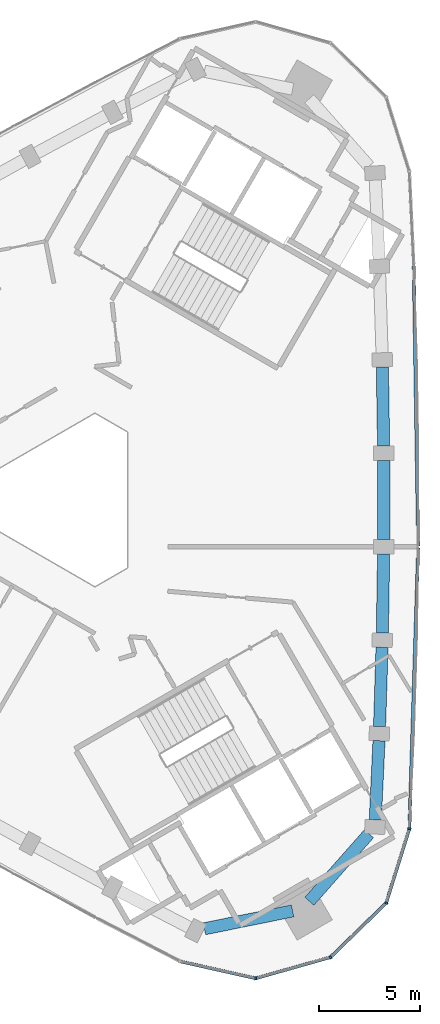
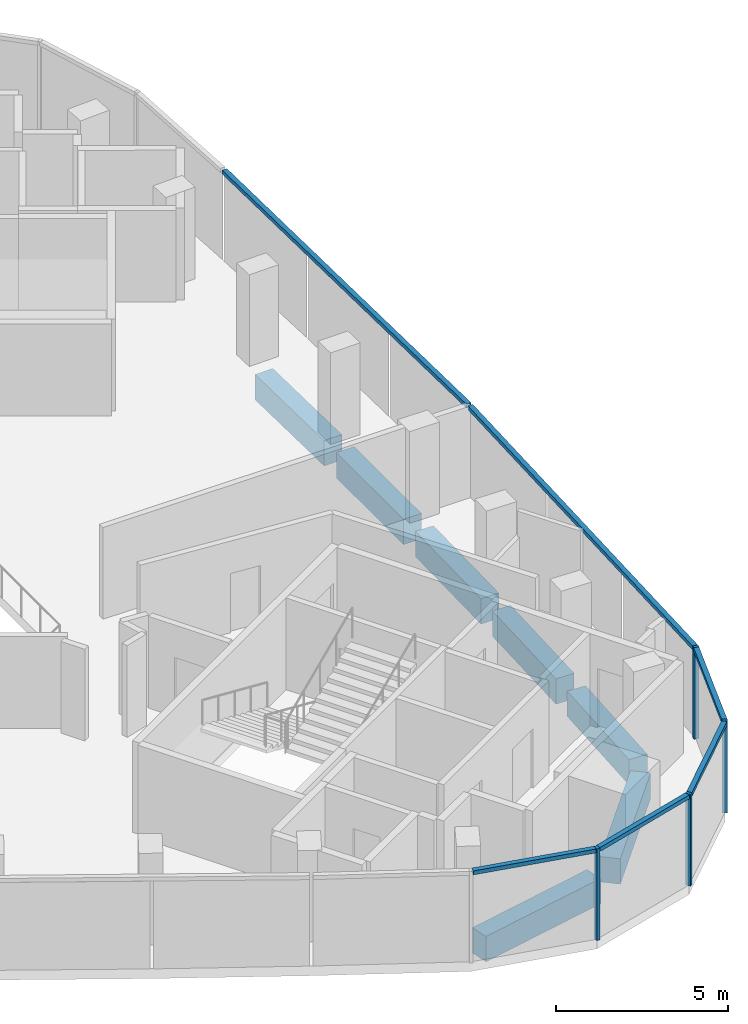
# One storey, part 3 of 10: 10 members, 7 beams, 2 elements without a shape of their own.
"""IFC4 building model written with IfcOpenShell, lengths in metres."""

from ifc_helpers import new_model, si_unit, direction, frame, origin, origin_2d, place, context, subcontext, project, spatial, rectangle, extrude, material, material_profile, profile_set, type_object, element, aggregate, save


model = new_model("IFC4")

# Units and contexts
model_context = context("Model", 3, precision=1e-05, world=origin(), true_north=direction((0.0, 1.0)))
body_context = subcontext(model_context, "Body", "Model", "MODEL_VIEW")
ifc_project = project(units=[si_unit("LENGTHUNIT", "METRE"), si_unit("AREAUNIT", "SQUARE_METRE"), si_unit("VOLUMEUNIT", "CUBIC_METRE"), si_unit("PLANEANGLEUNIT", "RADIAN"), si_unit("MASSUNIT", "GRAM", prefix="KILO")], contexts=[model_context])

# Site, building, storey
site_placement = place(None, origin())
site = spatial("IfcSite", under=ifc_project, at=site_placement, CompositionType="ELEMENT")
building_placement = place(site_placement, origin())
building = spatial("IfcBuilding", under=site, at=building_placement, Name="Tamra Quay Hotel Tower", CompositionType="ELEMENT")
storey_placement = place(building_placement, frame((0.0, 0.0, 294.60009765625)))
storey = spatial("IfcBuildingStorey", under=building, at=storey_placement, Name="L74", CompositionType="ELEMENT", Elevation=294.60009765625)

# Curtain wall, member
ifc_material_1 = material(Name="Aluminium 6063 anodised dark grey", Category="aluminium")
curtain_wall_type_1 = type_object("IfcCurtainWallType", Name="CW1 CURTAIN WALL", PredefinedType="NOTDEFINED", material=ifc_material_1)
curtain_wall_1_placement = place(storey_placement, origin())
curtain_wall_1 = element("IfcCurtainWall", 1, at=curtain_wall_1_placement, inside=storey, type_object=curtain_wall_type_1, Name="CW1 east face L74", PredefinedType="NOTDEFINED")
ifc_material_profile_1 = material_profile(ifc_material_1, rectangle(XDim=0.159912109375, YDim=0.10009765625, at=origin_2d()), Name="MULLION 100X160")
ifc_profile_set_1 = profile_set([ifc_material_profile_1], Name="Aluminium 6063 anodised dark grey")
member_type_1 = type_object("IfcMemberType", Name="MULLION CW1 Z6", PredefinedType="MULLION", material=ifc_profile_set_1)
member_1_placement = place(storey_placement, frame((16.89990234375, -16.210205078125, 0.0), z_axis=(0.0, 0.0, 1.0), x_axis=(0.984739919862, -0.174032440167, 0.0)))
member_1 = element("IfcMember", 2, at=member_1_placement, type_object=member_type_1, Name="CW1 mullion L74.E.1", PredefinedType="MULLION", context=body_context, shape_type="SweptSolid", body=[
    extrude(rectangle(XDim=0.159912109375, YDim=0.10009765625, at=origin_2d()), origin(), (0.0, 0.0, 1.0), 3.25),
])

# Curtain wall, members
curtain_wall_type_2 = type_object("IfcCurtainWallType", Name="CW3 CURTAIN WALL", PredefinedType="NOTDEFINED", material=ifc_material_1)
curtain_wall_2_placement = place(storey_placement, origin())
curtain_wall_2 = element("IfcCurtainWall", 3, at=curtain_wall_2_placement, inside=storey, type_object=curtain_wall_type_2, Name="CW3 south-west face L74", PredefinedType="NOTDEFINED")
ifc_material_profile_2 = material_profile(ifc_material_1, rectangle(XDim=0.159912109375, YDim=0.10009765625, at=origin_2d()), Name="MULLION 100X160")
ifc_profile_set_2 = profile_set([ifc_material_profile_2], Name="Aluminium 6063 anodised dark grey")
member_type_2 = type_object("IfcMemberType", Name="MULLION CW3 Z6", PredefinedType="MULLION", material=ifc_profile_set_2)
member_2_placement = place(storey_placement, frame((9.325927734375, -23.578857421875, 0.0), z_axis=(0.0, 0.0, 1.0), x_axis=(0.027468865497, -0.999622659521, 0.0)))
member_2 = element("IfcMember", 4, at=member_2_placement, type_object=member_type_2, Name="CW3 mullion L74.SW.9", PredefinedType="MULLION", context=body_context, shape_type="SweptSolid", body=[
    extrude(rectangle(XDim=0.159912109375, YDim=0.10009765625, at=origin_2d()), origin(), (0.0, 0.0, 1.0), 3.25),
])
member_3_placement = place(storey_placement, frame((13.01171875, -22.536865234375, 0.0), z_axis=(0.0, 0.0, 1.0), x_axis=(0.5, -0.866025403784, 0.0)))
member_3 = element("IfcMember", 5, at=member_3_placement, type_object=member_type_2, Name="CW3 mullion L74.SW.10", PredefinedType="MULLION", context=body_context, shape_type="SweptSolid", body=[
    extrude(rectangle(XDim=0.159912109375, YDim=0.10009765625, at=origin_2d()), origin(), (0.0, 0.0, 1.0), 3.25),
])
member_4_placement = place(storey_placement, frame((15.757080078125, -19.865966796875, 0.0), z_axis=(0.0, 0.0, 1.0), x_axis=(0.851964184595, -0.523600065094, 0.0)))
member_4 = element("IfcMember", 6, at=member_4_placement, type_object=member_type_2, Name="CW3 mullion L74.SW.11", PredefinedType="MULLION", context=body_context, shape_type="SweptSolid", body=[
    extrude(rectangle(XDim=0.159912109375, YDim=0.10009765625, at=origin_2d()), origin(), (0.0, 0.0, 1.0), 3.25),
])

# Beams
ifc_material_2 = material(Name="Concrete M60", Category="concrete")
ifc_material_profile_3 = material_profile(ifc_material_2, rectangle(XDim=0.60009765625, YDim=0.89990234375, at=origin_2d()), Name="SPANDREL BEAM RC 600x900")
ifc_profile_set_3 = profile_set([ifc_material_profile_3], Name="Concrete M60")
beam_type = type_object("IfcBeamType", Name="SPANDREL BEAM RC 600x900", PredefinedType="SPANDREL", material=ifc_profile_set_3)
beam_1_placement = place(storey_placement, frame((15.218994140625, -15.767333984375, -0.800048828125), z_axis=(0.04680507522, 0.998904041905, 0.0), x_axis=(-0.998904041905, 0.04680507522, 0.0)))
element("IfcBeam", 7, at=beam_1_placement, inside=storey, type_object=beam_type, Name="BM-SP6-000-L74", PredefinedType="SPANDREL", context=body_context, shape_type="SweptSolid", body=[
    extrude(rectangle(XDim=0.60009765625, YDim=0.89990234375, at=origin_2d()), origin(), (0.0, 0.0, 1.0), 3.906982421875),
])
beam_2_placement = place(storey_placement, frame((15.42919921875, -11.165283203125, -0.800048828125), z_axis=(0.031240604276, 0.999511893198, 0.0), x_axis=(-0.999511893198, 0.031240604276, 0.0)))
element("IfcBeam", 8, at=beam_2_placement, inside=storey, type_object=beam_type, Name="BM-SP6-001-L74", PredefinedType="SPANDREL", context=body_context, shape_type="SweptSolid", body=[
    extrude(rectangle(XDim=0.60009765625, YDim=0.89990234375, at=origin_2d()), origin(), (0.0, 0.0, 1.0), 3.907470703125),
])
beam_3_placement = place(storey_placement, frame((15.567626953125, -6.559814453125, -0.800048828125), z_axis=(0.015623093001, 0.999877952035, 0.0), x_axis=(-0.999877952035, 0.015623093001, 0.0)))
element("IfcBeam", 9, at=beam_3_placement, inside=storey, type_object=beam_type, Name="BM-SP6-002-L74", PredefinedType="SPANDREL", context=body_context, shape_type="SweptSolid", body=[
    extrude(rectangle(XDim=0.60009765625, YDim=0.89990234375, at=origin_2d()), origin(), (0.0, 0.0, 1.0), 3.90673828125),
])
beam_4_placement = place(storey_placement, frame((15.634033203125, -1.95361328125, -0.800048828125), z_axis=(0.0, 1.0, 0.0), x_axis=(-1.0, 0.0, 0.0)))
element("IfcBeam", 10, at=beam_4_placement, inside=storey, type_object=beam_type, Name="BM-SP6-003-L74", PredefinedType="SPANDREL", context=body_context, shape_type="SweptSolid", body=[
    extrude(rectangle(XDim=0.60009765625, YDim=0.89990234375, at=origin_2d()), origin(), (0.0, 0.0, 1.0), 3.9072265625),
])
beam_5_placement = place(storey_placement, frame((15.628662109375, 2.653564453125, -0.800048828125), z_axis=(-0.015623093001, 0.999877952035, 0.0), x_axis=(-0.999877952035, -0.015623093001, 0.0)))
element("IfcBeam", 11, at=beam_5_placement, inside=storey, type_object=beam_type, Name="BM-SP6-004-L74", PredefinedType="SPANDREL", context=body_context, shape_type="SweptSolid", body=[
    extrude(rectangle(XDim=0.60009765625, YDim=0.89990234375, at=origin_2d()), origin(), (0.0, 0.0, 1.0), 3.90673828125),
])
beam_6_placement = place(storey_placement, frame((6.79345703125, -21.1357421875, -0.800048828125), z_axis=(0.980114952618, 0.198430541133, 0.0), x_axis=(-0.198430541133, 0.980114952618, 0.0)))
element("IfcBeam", 12, at=beam_6_placement, inside=storey, type_object=beam_type, Name="BM-SP6-025-L74", PredefinedType="SPANDREL", context=body_context, shape_type="SweptSolid", body=[
    extrude(rectangle(XDim=0.60009765625, YDim=0.89990234375, at=origin_2d()), origin(), (0.0, 0.0, 1.0), 4.441650390625),
])
beam_7_placement = place(storey_placement, frame((11.96728515625, -19.781005859375, -0.800048828125), z_axis=(0.661856103448, 0.749630908066, 0.0), x_axis=(-0.749630908066, 0.661856103448, 0.0)))
element("IfcBeam", 13, at=beam_7_placement, inside=storey, type_object=beam_type, Name="BM-SP6-026-L74", PredefinedType="SPANDREL", context=body_context, shape_type="SweptSolid", body=[
    extrude(rectangle(XDim=0.60009765625, YDim=0.89990234375, at=origin_2d()), origin(), (0.0, 0.0, 1.0), 4.44189453125),
])

# Member
ifc_material_profile_4 = material_profile(ifc_material_1, rectangle(XDim=0.159912109375, YDim=0.139892578125, at=origin_2d()), Name="TRANSOM 160X140")
ifc_profile_set_4 = profile_set([ifc_material_profile_4], Name="Aluminium 6063 anodised dark grey")
member_type_3 = type_object("IfcMemberType", Name="TRANSOM CW1 Z6", PredefinedType="USERDEFINED", material=ifc_profile_set_4)
member_5_placement = place(storey_placement, frame((16.90234375, -16.160400390625, 3.179931640625), z_axis=(0.031224810835, 0.999512386711, 0.0), x_axis=(-0.999512386711, 0.031224810835, 0.0)))
member_5 = element("IfcMember", 14, at=member_5_placement, type_object=member_type_3, Name="CW1 transom L74.E.1", ObjectType="TRANSOM", PredefinedType="USERDEFINED", context=body_context, shape_type="SweptSolid", body=[
    extrude(rectangle(XDim=0.159912109375, YDim=0.139892578125, at=origin_2d()), origin(), (0.0, 0.0, 1.0), 13.80029296875),
])

member_6_placement = place(storey_placement, frame((17.333984375, -2.266845703125, 3.179931640625), z_axis=(-0.015621987524, 0.999877969307, 0.0), x_axis=(-0.999877969307, -0.015621987524, 0.0)))
member_6 = element("IfcMember", 15, at=member_6_placement, type_object=member_type_3, Name="CW1 transom L74.E.4", ObjectType="TRANSOM", PredefinedType="USERDEFINED", context=body_context, shape_type="SweptSolid", body=[
    extrude(rectangle(XDim=0.159912109375, YDim=0.139892578125, at=origin_2d()), origin(), (0.0, 0.0, 1.0), 13.799560546875),
])

aggregate(curtain_wall_1, [member_1, member_5, member_6])

ifc_material_profile_5 = material_profile(ifc_material_1, rectangle(XDim=0.159912109375, YDim=0.139892578125, at=origin_2d()), Name="TRANSOM 160X140")
ifc_profile_set_5 = profile_set([ifc_material_profile_5], Name="Aluminium 6063 anodised dark grey")
member_type_4 = type_object("IfcMemberType", Name="TRANSOM CW3 Z6", PredefinedType="USERDEFINED", material=ifc_profile_set_5)
member_7_placement = place(storey_placement, frame((5.63720703125, -22.751708984375, 3.179931640625), z_axis=(0.975757055509, -0.218856502356, 0.0), x_axis=(0.218856502356, 0.975757055509, 0.0)))
member_7 = element("IfcMember", 16, at=member_7_placement, type_object=member_type_4, Name="CW3 transom L74.SW.8", ObjectType="TRANSOM", PredefinedType="USERDEFINED", context=body_context, shape_type="SweptSolid", body=[
    extrude(rectangle(XDim=0.159912109375, YDim=0.139892578125, at=origin_2d()), origin(), (0.0, 0.0, 1.0), 3.730224609375),
])

member_8_placement = place(storey_placement, frame((9.3740234375, -23.5654296875, 3.179931640625), z_axis=(0.9622784918, 0.272066359955, 0.0), x_axis=(-0.272066359955, 0.9622784918, 0.0)))
member_8 = element("IfcMember", 17, at=member_8_placement, type_object=member_type_4, Name="CW3 transom L74.SW.9", ObjectType="TRANSOM", PredefinedType="USERDEFINED", context=body_context, shape_type="SweptSolid", body=[
    extrude(rectangle(XDim=0.159912109375, YDim=0.139892578125, at=origin_2d()), origin(), (0.0, 0.0, 1.0), 3.730224609375),
])

member_9_placement = place(storey_placement, frame((13.047607421875, -22.501953125, 3.179931640625), z_axis=(0.716759527702, 0.697320428102, 0.0), x_axis=(-0.697320428102, 0.716759527702, 0.0)))
member_9 = element("IfcMember", 18, at=member_9_placement, type_object=member_type_4, Name="CW3 transom L74.SW.10", ObjectType="TRANSOM", PredefinedType="USERDEFINED", context=body_context, shape_type="SweptSolid", body=[
    extrude(rectangle(XDim=0.159912109375, YDim=0.139892578125, at=origin_2d()), origin(), (0.0, 0.0, 1.0), 3.72998046875),
])

member_10_placement = place(storey_placement, frame((15.77197265625, -19.818359375, 3.179931640625), z_axis=(0.298383063983, 0.95444619918, 0.0), x_axis=(-0.95444619918, 0.298383063983, 0.0)))
member_10 = element("IfcMember", 19, at=member_10_placement, type_object=member_type_4, Name="CW3 transom L74.SW.11", ObjectType="TRANSOM", PredefinedType="USERDEFINED", context=body_context, shape_type="SweptSolid", body=[
    extrude(rectangle(XDim=0.159912109375, YDim=0.139892578125, at=origin_2d()), origin(), (0.0, 0.0, 1.0), 3.730224609375),
])

aggregate(curtain_wall_2, [member_7, member_2, member_8, member_3, member_9, member_4, member_10])

save(model, "model.ifc")
